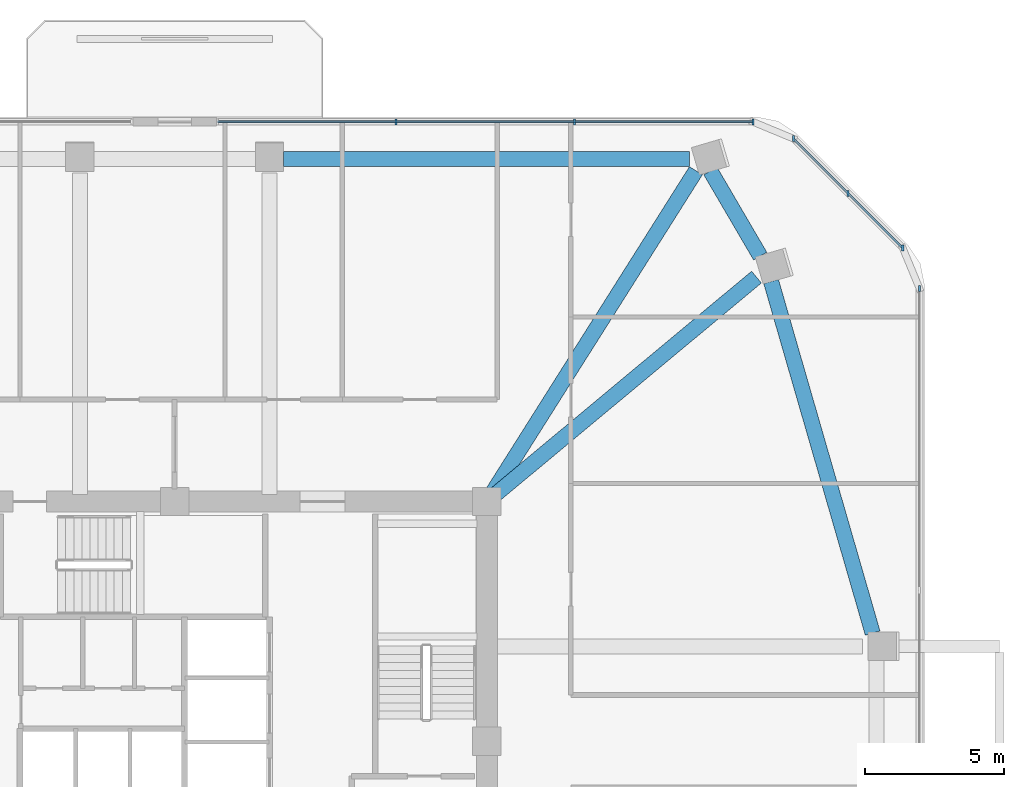
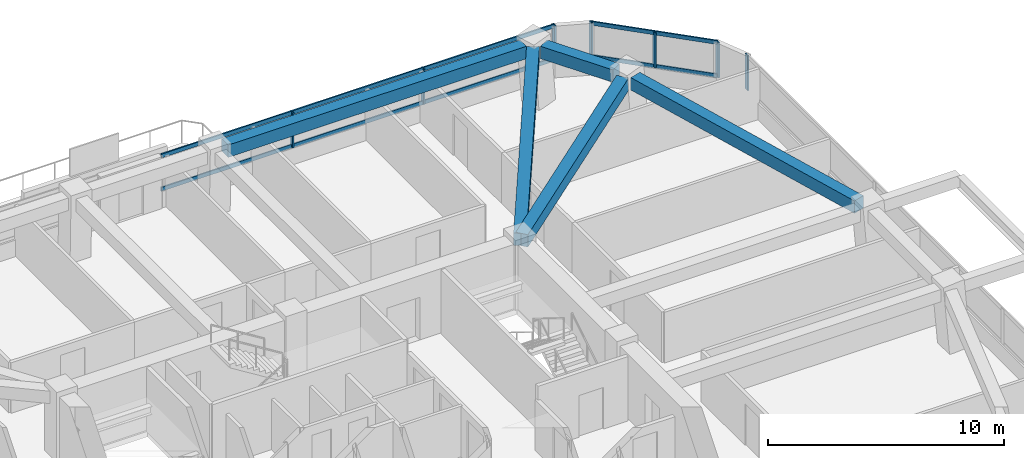
# One storey, part 6 of 13: 11 members, 5 beams, 3 elements without a shape of their own.
"""IFC4 building model written with IfcOpenShell, lengths in metres."""

import ifcopenshell
import ifcopenshell.guid

model = None  # the IFC model being written
_history = None  # IfcOwnerHistory: only IFC2X3 demands one
_inside = {}  # id of a spatial element -> (the spatial element, [elements in it])
_under = {}  # id of a project, library or spatial element -> (it, [spatial elements below it])
_declared = {}  # id of a project -> (the project, [libraries it declares])
_typed = {}  # id of a type object -> (the type object, [elements of that type])
_made_of = {}  # id of a material, layer set ... -> (it, [elements and type objects made of it])


def new_model(schema):
    """Start an empty IFC model of exactly this schema.

    Asked for "IFC4X3", IfcOpenShell would pick the latest addendum, in which some entities
    have other attributes; the version numbers below select the first issue.
    IFC2X3 requires an IfcOwnerHistory on every rooted entity: one is made here for all.
    """
    global model, _history
    if schema == "IFC4X3":
        model = ifcopenshell.file(schema_version=(4, 3, 0, 0))
    else:
        model = ifcopenshell.file(schema=schema)
    _inside.clear()
    _under.clear()
    _declared.clear()
    _typed.clear()
    _made_of.clear()
    _history = None
    if model.schema == "IFC2X3":
        org = make("IfcOrganization", Name="unknown")
        user = make(
            "IfcPersonAndOrganization",
            ThePerson=make("IfcPerson", FamilyName="unknown"),
            TheOrganization=org,
        )
        app = make(
            "IfcApplication",
            ApplicationDeveloper=org,
            Version="unknown",
            ApplicationFullName="unknown",
            ApplicationIdentifier="unknown",
        )
        _history = make(
            "IfcOwnerHistory",
            OwningUser=user,
            OwningApplication=app,
            ChangeAction="ADDED",
            CreationDate=0,
        )
    return model


def make(cls, **values):
    """One entity of the class cls with the attributes given. An attribute that is None is left unset."""
    return model.create_entity(
        cls, **{name: value for name, value in values.items() if value is not None}
    )


def rooted(cls, **values):
    """An entity with a GlobalId (a new one), such as an element, a storey or a relation."""
    return make(cls, GlobalId=ifcopenshell.guid.new(), OwnerHistory=_history, **values)


def si_unit(unit_type, name, prefix=None):
    """IfcSIUnit, for example si_unit("LENGTHUNIT", "METRE", prefix="MILLI")."""
    return make("IfcSIUnit", UnitType=unit_type, Prefix=prefix, Name=name)


def derived_unit(unit_type, elements):
    """IfcDerivedUnit: a product of units, each with its exponent."""
    return make(
        "IfcDerivedUnit",
        Elements=[
            make("IfcDerivedUnitElement", Unit=unit, Exponent=power)
            for unit, power in elements
        ],
        UnitType=unit_type,
    )


def assignment(units):
    """IfcUnitAssignment: the units of a project."""
    return None if units is None else make("IfcUnitAssignment", Units=units)


def point(xyz):
    """IfcCartesianPoint."""
    return None if xyz is None else make("IfcCartesianPoint", Coordinates=xyz)


def direction(xyz):
    """IfcDirection."""
    return None if xyz is None else make("IfcDirection", DirectionRatios=xyz)


def frame(location, z_axis=None, x_axis=None):
    """IfcAxis2Placement3D, a coordinate frame: its origin and axes. An axis left out is left unset."""
    return make(
        "IfcAxis2Placement3D",
        Location=point(location),
        Axis=direction(z_axis),
        RefDirection=direction(x_axis),
    )


def frame_2d(location, x_axis=None):
    """IfcAxis2Placement2D, a coordinate frame in the plane: its origin and x axis."""
    return make(
        "IfcAxis2Placement2D", Location=point(location), RefDirection=direction(x_axis)
    )


def origin():
    """The frame at (0, 0, 0) with its axes left unset."""
    return frame((0.0, 0.0, 0.0))


def origin_2d():
    """The frame at (0, 0) in the plane with its x axis left unset."""
    return frame_2d((0.0, 0.0))


def place(relative_to, where):
    """IfcLocalPlacement: puts the frame where relative to a parent placement (None: the world)."""
    return make(
        "IfcLocalPlacement", PlacementRelTo=relative_to, RelativePlacement=where
    )


def context(
    kind, dimensions, precision=None, world=None, true_north=None, identifier=None
):
    """IfcGeometricRepresentationContext, for example the 3D "Model" context."""
    return make(
        "IfcGeometricRepresentationContext",
        ContextIdentifier=identifier,
        ContextType=kind,
        CoordinateSpaceDimension=dimensions,
        Precision=precision,
        WorldCoordinateSystem=world,
        TrueNorth=true_north,
    )


def subcontext(parent, identifier, kind, view, scale=None):
    """IfcGeometricRepresentationSubContext, for example "Body" below "Model"."""
    return make(
        "IfcGeometricRepresentationSubContext",
        ContextIdentifier=identifier,
        ContextType=kind,
        ParentContext=parent,
        TargetScale=scale,
        TargetView=view,
    )


def project(units=None, contexts=None):
    """IfcProject with its units and contexts."""
    return rooted(
        "IfcProject",
        Name="project",
        RepresentationContexts=contexts,
        UnitsInContext=assignment(units),
    )


def spatial(cls, under=None, at=None, **own):
    """A site, building, storey or space (cls), placed at a placement, below another one or the project."""
    s = rooted(cls, ObjectPlacement=at, **own)
    if under is not None:
        _under.setdefault(under.id(), (under, []))[1].append(s)
    return s


def profile(cls, at=None, kind="AREA", **sizes):
    """A parametric profile (cls). Its sizes go by their IFC names, for example OverallWidth=200.0."""
    return make(cls, ProfileType=kind, Position=at, **sizes)


def rectangle(**sizes):
    """IfcRectangleProfileDef."""
    return profile("IfcRectangleProfileDef", **sizes)


def extrude(swept, where, along, depth):
    """IfcExtrudedAreaSolid: the profile swept, set in the frame where, extruded along a direction by depth."""
    return make(
        "IfcExtrudedAreaSolid",
        SweptArea=swept,
        Position=where,
        ExtrudedDirection=direction(along),
        Depth=depth,
    )


def shape(context_of_items, identifier, shape_type, items):
    """IfcShapeRepresentation: the items that make up one representation, for example the "Body"."""
    return make(
        "IfcShapeRepresentation",
        ContextOfItems=context_of_items,
        RepresentationIdentifier=identifier,
        RepresentationType=shape_type,
        Items=items,
    )


def material(Name=None, Category=None):
    """IfcMaterial."""
    return make("IfcMaterial", Name=Name, Category=Category)


def material_profile(
    of_material, cross_section, Name=None, Category=None, Priority=None
):
    """IfcMaterialProfile: a cross section and its material."""
    return make(
        "IfcMaterialProfile",
        Name=Name,
        Material=of_material,
        Profile=cross_section,
        Priority=Priority,
        Category=Category,
    )


def profile_set(profiles, Name=None, composite=None):
    """IfcMaterialProfileSet."""
    return make(
        "IfcMaterialProfileSet",
        Name=Name,
        MaterialProfiles=profiles,
        CompositeProfile=composite,
    )


def made_of(thing, what):
    """Note that an element or type object is made of a material, layer set ...; save() writes the relation."""
    if what is not None:
        _made_of.setdefault(what.id(), (what, []))[1].append(thing)
    return thing


def type_object(cls, material=None, **own):
    """A type object (cls), such as IfcWallType, which elements share."""
    return made_of(rooted(cls, **own), material)


def element(
    cls,
    number,
    at=None,
    inside=None,
    cuts=None,
    type_object=None,
    material=None,
    context=None,
    identifier="Body",
    shape_type=None,
    held_by="IfcProductDefinitionShape",
    body=None,
    shapes=None,
    **own,
):
    """One element of the class cls, such as IfcWall. Its Tag is "e" and its number.

    at: its placement. inside: the storey or other place that contains it. cuts: it is an
    opening in that element (IfcRelVoidsElement). A single representation is given by context,
    identifier, shape_type and body (its items); several are given by shapes. held_by: the class
    of the entity that holds the representations. save() writes the other relations.
    """
    e = rooted(cls, Tag="e%d" % number, ObjectPlacement=at, **own)
    if body is not None:
        shapes = [shape(context, identifier, shape_type, body)]
    if shapes is not None:
        e.Representation = make(held_by, Representations=shapes)
    if inside is not None:
        _inside.setdefault(inside.id(), (inside, []))[1].append(e)
    if cuts is not None:
        rooted(
            "IfcRelVoidsElement", RelatingBuildingElement=cuts, RelatedOpeningElement=e
        )
    if type_object is not None:
        _typed.setdefault(type_object.id(), (type_object, []))[1].append(e)
    return made_of(e, material)


def aggregate(whole, parts):
    """IfcRelAggregates: a whole, such as a stair, and the parts it consists of."""
    return rooted("IfcRelAggregates", RelatingObject=whole, RelatedObjects=parts)


def save(model, path):
    """Write the relations noted so far, then the file.

    IfcRelAggregates (storeys below a building ...), IfcRelContainedInSpatialStructure (elements
    in a storey), IfcRelDefinesByType, IfcRelAssociatesMaterial and IfcRelDeclares: one each for
    every whole, place, type object, material and project.
    """
    for whole, parts in _under.values():
        aggregate(whole, parts)
    for where, things in _inside.values():
        rooted(
            "IfcRelContainedInSpatialStructure",
            RelatedElements=things,
            RelatingStructure=where,
        )
    for kind, things in _typed.values():
        rooted("IfcRelDefinesByType", RelatedObjects=things, RelatingType=kind)
    for what, things in _made_of.values():
        rooted("IfcRelAssociatesMaterial", RelatedObjects=things, RelatingMaterial=what)
    for by, libraries in _declared.values():
        rooted("IfcRelDeclares", RelatingContext=by, RelatedDefinitions=libraries)
    model.write(path)


model = new_model("IFC4")

# Units and contexts
model_context = context("Model", 3, precision=1e-05, world=origin(), true_north=direction((0.0, 1.0)))
body_context = subcontext(model_context, "Body", "Model", "MODEL_VIEW")
ifc_project = project(units=[si_unit("LENGTHUNIT", "METRE"), si_unit("AREAUNIT", "SQUARE_METRE"), si_unit("VOLUMEUNIT", "CUBIC_METRE"), si_unit("PLANEANGLEUNIT", "RADIAN"), si_unit("MASSUNIT", "GRAM", prefix="KILO"), derived_unit("THERMALTRANSMITTANCEUNIT", [(si_unit("POWERUNIT", "WATT"), 1), (si_unit("LENGTHUNIT", "METRE"), -2), (si_unit("THERMODYNAMICTEMPERATUREUNIT", "KELVIN"), -1)])], contexts=[model_context])

# Site, building, storey
site_placement = place(None, origin())
site = spatial("IfcSite", under=ifc_project, at=site_placement, CompositionType="ELEMENT")
building_placement = place(site_placement, origin())
building = spatial("IfcBuilding", under=site, at=building_placement, Name="Koralith Skygarden Medical Center", CompositionType="ELEMENT")
storey_placement = place(building_placement, frame((0.0, 0.0, 88.3798828125)))
storey = spatial("IfcBuildingStorey", under=building, at=storey_placement, Name="L22", CompositionType="ELEMENT", Elevation=88.3798828125)

# Curtain wall, member
ifc_material_1 = material(Name="Clear Laminated Glass", Category="glass")
curtain_wall_type = type_object("IfcCurtainWallType", Name="CW-3 Zone 2 Faceted Solar Curtain Wall", PredefinedType="NOTDEFINED", material=ifc_material_1)
curtain_wall_1_placement = place(storey_placement, origin())
curtain_wall_1 = element("IfcCurtainWall", 1, at=curtain_wall_1_placement, inside=storey, type_object=curtain_wall_type, Name="Curtain Wall CW-L22-E", PredefinedType="NOTDEFINED")
ifc_material_2 = material(Name="Aluminium 6063-T6", Category="aluminium")
ifc_material_profile_1 = material_profile(ifc_material_2, rectangle(XDim=0.073974609375, YDim=0.219970703125, at=origin_2d()), Name="MUL74X220")
ifc_profile_set_1 = profile_set([ifc_material_profile_1], Name="Aluminium 6063-T6")
member_type_1 = type_object("IfcMemberType", Name="CW-3 Extruded Mullion 74x220", PredefinedType="MULLION", material=ifc_profile_set_1)
member_1_placement = place(storey_placement, frame((63.719970703125, 42.14501953125, 0.85009765625), z_axis=(0.0, 0.0, 1.0), x_axis=(1.0, 0.0, 0.0)))
member_1 = element("IfcMember", 2, at=member_1_placement, type_object=member_type_1, Name="CW-L22-E Mullion 4", PredefinedType="MULLION", context=body_context, shape_type="SweptSolid", body=[
    extrude(rectangle(XDim=0.073974609375, YDim=0.219970703125, at=origin_2d()), origin(), (0.0, 0.0, 1.0), 1.820068359375),
])
aggregate(curtain_wall_1, [member_1])

# Curtain wall, members
curtain_wall_2_placement = place(storey_placement, origin())
curtain_wall_2 = element("IfcCurtainWall", 3, at=curtain_wall_2_placement, inside=storey, type_object=curtain_wall_type, Name="Curtain Wall CW-L22-NE", PredefinedType="NOTDEFINED")
member_2_placement = place(storey_placement, frame((63.118896484375, 43.595947265625, 0.85009765625), z_axis=(0.0, 0.0, 1.0), x_axis=(1.0, 0.0, 0.0)))
member_2 = element("IfcMember", 4, at=member_2_placement, type_object=member_type_1, Name="CW-L22-NE Mullion 1", PredefinedType="MULLION", context=body_context, shape_type="SweptSolid", body=[
    extrude(rectangle(XDim=0.073974609375, YDim=0.219970703125, at=origin_2d()), origin(), (0.0, 0.0, 1.0), 1.820068359375),
])
member_3_placement = place(storey_placement, frame((61.156982421875, 45.556884765625, 0.85009765625), z_axis=(0.0, 0.0, 1.0), x_axis=(1.0, 0.0, 0.0)))
member_3 = element("IfcMember", 5, at=member_3_placement, type_object=member_type_1, Name="CW-L22-NE Mullion 2", PredefinedType="MULLION", context=body_context, shape_type="SweptSolid", body=[
    extrude(rectangle(XDim=0.073974609375, YDim=0.219970703125, at=origin_2d()), origin(), (0.0, 0.0, 1.0), 1.820068359375),
])
member_4_placement = place(storey_placement, frame((59.196044921875, 47.51904296875, 0.85009765625), z_axis=(0.0, 0.0, 1.0), x_axis=(1.0, 0.0, 0.0)))
member_4 = element("IfcMember", 6, at=member_4_placement, type_object=member_type_1, Name="CW-L22-NE Mullion 3", PredefinedType="MULLION", context=body_context, shape_type="SweptSolid", body=[
    extrude(rectangle(XDim=0.073974609375, YDim=0.219970703125, at=origin_2d()), origin(), (0.0, 0.0, 1.0), 1.820068359375),
])

curtain_wall_3_placement = place(storey_placement, origin())
curtain_wall_3 = element("IfcCurtainWall", 7, at=curtain_wall_3_placement, inside=storey, type_object=curtain_wall_type, Name="Curtain Wall CW-L22-N-L", PredefinedType="NOTDEFINED")
member_5_placement = place(storey_placement, frame((57.7451171875, 48.1201171875, 0.85009765625), z_axis=(0.0, 0.0, 1.0), x_axis=(1.0, 0.0, 0.0)))
member_5 = element("IfcMember", 8, at=member_5_placement, type_object=member_type_1, Name="CW-L22-N-L Mullion 1", PredefinedType="MULLION", context=body_context, shape_type="SweptSolid", body=[
    extrude(rectangle(XDim=0.073974609375, YDim=0.219970703125, at=origin_2d()), origin(), (0.0, 0.0, 1.0), 1.820068359375),
])
member_6_placement = place(storey_placement, frame((51.343994140625, 48.1201171875, 0.85009765625), z_axis=(0.0, 0.0, 1.0), x_axis=(1.0, 0.0, 0.0)))
member_6 = element("IfcMember", 9, at=member_6_placement, type_object=member_type_1, Name="CW-L22-N-L Mullion 2", PredefinedType="MULLION", context=body_context, shape_type="SweptSolid", body=[
    extrude(rectangle(XDim=0.073974609375, YDim=0.219970703125, at=origin_2d()), origin(), (0.0, 0.0, 1.0), 1.820068359375),
])
member_7_placement = place(storey_placement, frame((44.94189453125, 48.1201171875, 0.85009765625), z_axis=(0.0, 0.0, 1.0), x_axis=(1.0, 0.0, 0.0)))
member_7 = element("IfcMember", 10, at=member_7_placement, type_object=member_type_1, Name="CW-L22-N-L Mullion 3", PredefinedType="MULLION", context=body_context, shape_type="SweptSolid", body=[
    extrude(rectangle(XDim=0.073974609375, YDim=0.219970703125, at=origin_2d()), origin(), (0.0, 0.0, 1.0), 1.820068359375),
])

# Member
ifc_material_profile_2 = material_profile(ifc_material_2, rectangle(XDim=0.069091796875, YDim=0.197998046875, at=origin_2d()), Name="TRN69X198")
ifc_profile_set_2 = profile_set([ifc_material_profile_2], Name="Aluminium 6063-T6")
member_type_2 = type_object("IfcMemberType", Name="CW-3 Thermal Transom 69x198", PredefinedType="USERDEFINED", material=ifc_profile_set_2)
member_8_placement = place(storey_placement, frame((63.118896484375, 43.595947265625, 0.900146484375), z_axis=(-0.707084777957, 0.707128783731, 0.0), x_axis=(-0.707128783731, -0.707084777957, 0.0)))
member_8 = element("IfcMember", 11, at=member_8_placement, type_object=member_type_2, Name="CW-L22-NE Transom 1", ObjectType="TRANSOM", PredefinedType="USERDEFINED", context=body_context, shape_type="SweptSolid", body=[
    extrude(rectangle(XDim=0.069091796875, YDim=0.197998046875, at=origin_2d()), origin(), (0.0, 0.0, 1.0), 5.5478515625),
])

member_9_placement = place(storey_placement, frame((63.118896484375, 43.595947265625, 2.6201171875), z_axis=(-0.707084777957, 0.707128783731, 0.0), x_axis=(-0.707128783731, -0.707084777957, 0.0)))
member_9 = element("IfcMember", 12, at=member_9_placement, type_object=member_type_2, Name="CW-L22-NE Transom 2", ObjectType="TRANSOM", PredefinedType="USERDEFINED", context=body_context, shape_type="SweptSolid", body=[
    extrude(rectangle(XDim=0.069091796875, YDim=0.197998046875, at=origin_2d()), origin(), (0.0, 0.0, 1.0), 5.5478515625),
])

aggregate(curtain_wall_2, [member_2, member_3, member_4, member_8, member_9])

member_10_placement = place(storey_placement, frame((57.7451171875, 48.1201171875, 0.900146484375), z_axis=(-1.0, 0.0, 0.0), x_axis=(0.0, -1.0, 0.0)))
member_10 = element("IfcMember", 13, at=member_10_placement, type_object=member_type_2, Name="CW-L22-N-L Transom 1", ObjectType="TRANSOM", PredefinedType="USERDEFINED", context=body_context, shape_type="SweptSolid", body=[
    extrude(rectangle(XDim=0.069091796875, YDim=0.197998046875, at=origin_2d()), origin(), (0.0, 0.0, 1.0), 19.2041015625),
])

member_11_placement = place(storey_placement, frame((57.7451171875, 48.1201171875, 2.6201171875), z_axis=(-1.0, 0.0, 0.0), x_axis=(0.0, -1.0, 0.0)))
member_11 = element("IfcMember", 14, at=member_11_placement, type_object=member_type_2, Name="CW-L22-N-L Transom 2", ObjectType="TRANSOM", PredefinedType="USERDEFINED", context=body_context, shape_type="SweptSolid", body=[
    extrude(rectangle(XDim=0.069091796875, YDim=0.197998046875, at=origin_2d()), origin(), (0.0, 0.0, 1.0), 19.2041015625),
])

aggregate(curtain_wall_3, [member_5, member_6, member_7, member_10, member_11])

# Beams
ifc_material_3 = material(Name="Concrete C45/55", Category="concrete")
ifc_material_profile_3 = material_profile(ifc_material_3, rectangle(XDim=0.550048828125, YDim=0.639892578125, at=origin_2d()), Name="RCB550X640")
ifc_profile_set_3 = profile_set([ifc_material_profile_3], Name="Concrete C45/55")
beam_type_1 = type_object("IfcBeamType", Name="Radial Collector Beam RCB550X640", PredefinedType="BEAM", material=ifc_profile_set_3)
beam_1_placement = place(storey_placement, frame((48.39208984375, 34.659912109375, 3.0), z_axis=(0.768607248476, 0.639720952908, 0.0), x_axis=(-0.639720952908, 0.768607248476, 0.0)))
element("IfcBeam", 15, at=beam_1_placement, inside=storey, type_object=beam_type_1, Name="L22 Radial Collector Beam RB-10", PredefinedType="BEAM", context=body_context, shape_type="SweptSolid", body=[
    extrude(rectangle(XDim=0.550048828125, YDim=0.639892578125, at=origin_2d()), origin(), (0.0, 0.0, 1.0), 12.335205078125),
])
beam_2_placement = place(storey_placement, frame((48.333984375, 34.7109375, 3.0), z_axis=(0.53413221169, 0.845400958383, 0.0), x_axis=(-0.845400958383, 0.53413221169, 0.0)))
element("IfcBeam", 16, at=beam_2_placement, inside=storey, type_object=beam_type_1, Name="L22 Radial Collector Beam RB-11", PredefinedType="BEAM", context=body_context, shape_type="SweptSolid", body=[
    extrude(rectangle(XDim=0.550048828125, YDim=0.639892578125, at=origin_2d()), origin(), (0.0, 0.0, 1.0), 13.788818359375),
])
ifc_material_profile_4 = material_profile(ifc_material_3, rectangle(XDim=0.550048828125, YDim=0.639892578125, at=origin_2d()), Name="RCB550X640")
ifc_profile_set_4 = profile_set([ifc_material_profile_4], Name="Concrete C45/55")
beam_type_2 = type_object("IfcBeamType", Name="Zone 2-3 Spandrel Beam RCB550X640", PredefinedType="SPANDREL", material=ifc_profile_set_4)
beam_3_placement = place(storey_placement, frame((62.0390625, 29.780029296875, 3.0), z_axis=(-0.277530116088, 0.960716937846, 0.0), x_axis=(-0.960716937846, -0.277530116088, 0.0)))
element("IfcBeam", 17, at=beam_3_placement, inside=storey, type_object=beam_type_2, Name="L22 Perimeter Spandrel Beam SP-09", PredefinedType="SPANDREL", context=body_context, shape_type="SweptSolid", body=[
    extrude(rectangle(XDim=0.550048828125, YDim=0.639892578125, at=origin_2d()), origin(), (0.0, 0.0, 1.0), 13.126708984375),
])
beam_4_placement = place(storey_placement, frame((58.0048828125, 43.302978515625, 3.0), z_axis=(-0.504766963518, 0.863255647268, 0.0), x_axis=(-0.863255647268, -0.504766963518, 0.0)))
element("IfcBeam", 18, at=beam_4_placement, inside=storey, type_object=beam_type_2, Name="L22 Perimeter Spandrel Beam SP-10", PredefinedType="SPANDREL", context=body_context, shape_type="SweptSolid", body=[
    extrude(rectangle(XDim=0.550048828125, YDim=0.639892578125, at=origin_2d()), origin(), (0.0, 0.0, 1.0), 3.5400390625),
])
beam_5_placement = place(storey_placement, frame((55.466064453125, 46.791015625, 3.0), z_axis=(-1.0, 0.0, 0.0), x_axis=(0.0, -1.0, 0.0)))
element("IfcBeam", 19, at=beam_5_placement, inside=storey, type_object=beam_type_2, Name="L22 Perimeter Spandrel Beam SP-11", PredefinedType="SPANDREL", context=body_context, shape_type="SweptSolid", body=[
    extrude(rectangle(XDim=0.550048828125, YDim=0.639892578125, at=origin_2d()), origin(), (0.0, 0.0, 1.0), 14.566162109375),
])

save(model, "model.ifc")
